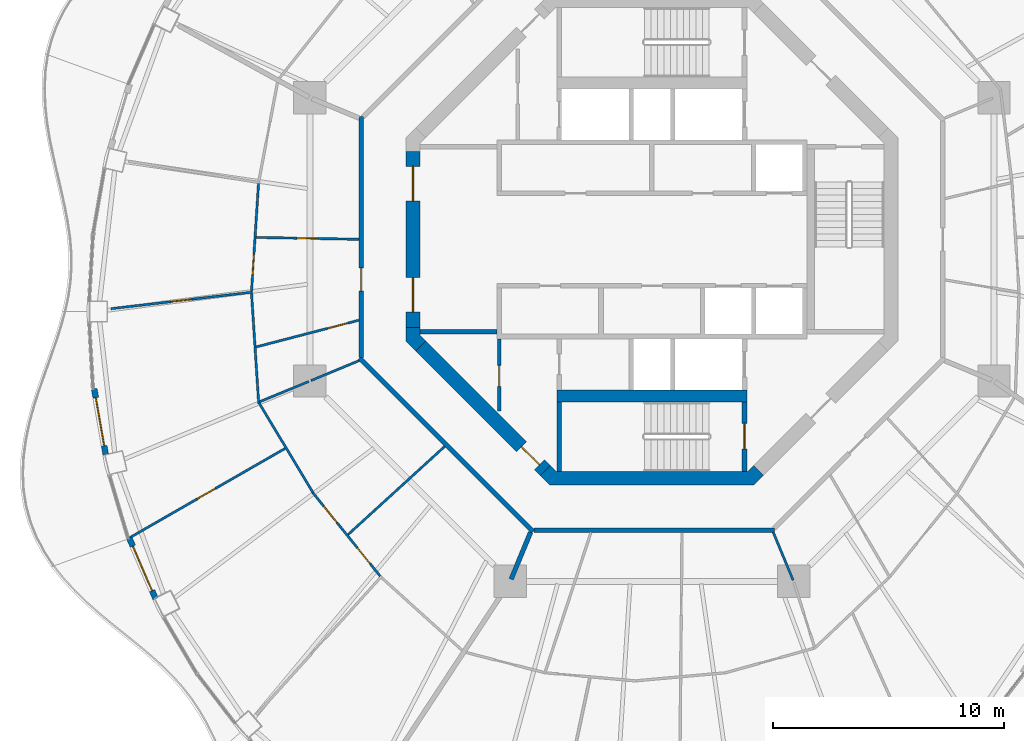
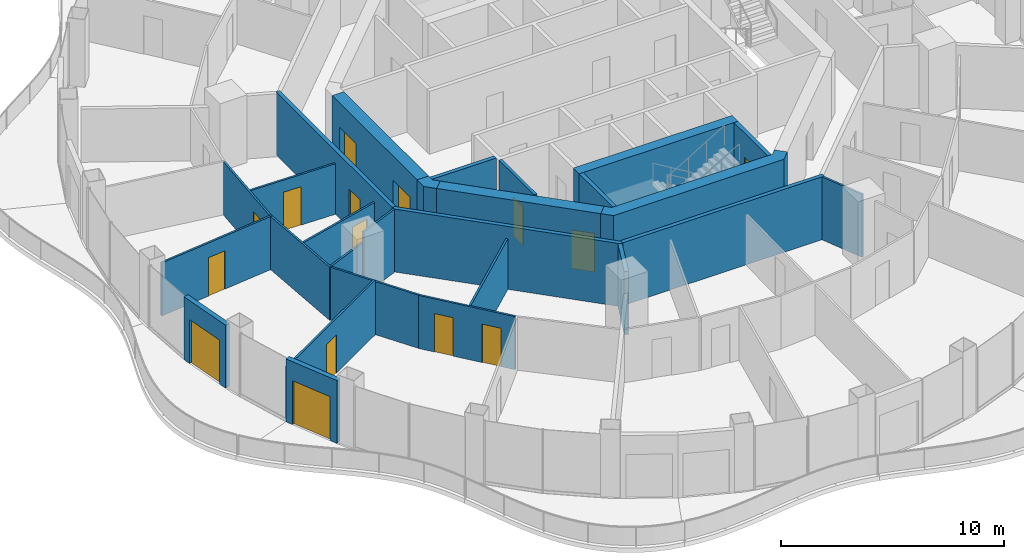
# One storey, part 10 of 17: 27 walls, 15 doors, 15 openings.
"""IFC4 building model written with IfcOpenShell, lengths in metres."""

from ifc_helpers import new_model, si_unit, direction, frame, frame_2d, origin, place, context, subcontext, project, spatial, polyline, rectangle, outline, extrude, material, layer, layer_set, type_object, element, fill, save


model = new_model("IFC4")

# Units and contexts
model_context = context("Model", 3, precision=1e-05, world=origin(), true_north=direction((0.0, 1.0)))
body_context = subcontext(model_context, "Body", "Model", "MODEL_VIEW")
ifc_project = project(units=[si_unit("LENGTHUNIT", "METRE"), si_unit("AREAUNIT", "SQUARE_METRE"), si_unit("VOLUMEUNIT", "CUBIC_METRE"), si_unit("PLANEANGLEUNIT", "RADIAN"), si_unit("MASSUNIT", "GRAM", prefix="KILO")], contexts=[model_context])

# Site, building, storey
site_placement = place(None, origin())
site = spatial("IfcSite", under=ifc_project, at=site_placement, CompositionType="ELEMENT")
building_placement = place(site_placement, origin())
building = spatial("IfcBuilding", under=site, at=building_placement, Name="Nagisa Residences", CompositionType="ELEMENT")
storey_placement = place(building_placement, frame((0.0, 0.0, 262.199951171875)))
storey = spatial("IfcBuildingStorey", under=building, at=storey_placement, Name="L66", CompositionType="ELEMENT", Elevation=262.199951171875)

# Wall
ifc_material_1 = material(Name="Gypsum board on steel studs", Category="steel")
ifc_layer_1 = layer(ifc_material_1, 0.199951171875)
ifc_layer_set_1 = layer_set([ifc_layer_1], Name="Apartment compartment wall EI60 200")
wall_type_1 = type_object("IfcWallType", Name="Apartment compartment wall EI60 200", PredefinedType="PARTITIONING", material=ifc_layer_set_1)
wall_1_placement = place(storey_placement, frame((-5.24267578125, -12.6572265625, 0.0), z_axis=(0.0, 0.0, 1.0), x_axis=(-0.382770106157, -0.923843626288, 0.0)))
element("IfcWall", 1, at=wall_1_placement, inside=storey, type_object=wall_type_1, Name="wall:L66:u04", PredefinedType="PARTITIONING", context=body_context, shape_type="SweptSolid", body=[
    extrude(rectangle(XDim=2.19921875, YDim=0.199951171875, at=frame_2d((1.099609375, 0.0))), origin(), (0.0, 0.0, 1.0), 3.43994140625),
])

# Wall, opening, door
ifc_material_2 = material(Name="Gypsum board on steel studs", Category="steel")
ifc_layer_2 = layer(ifc_material_2, 0.199951171875)
ifc_layer_set_2 = layer_set([ifc_layer_2], Name="Apartment entry wall EI60 200")
wall_type_2 = type_object("IfcWallType", Name="Apartment entry wall EI60 200", PredefinedType="PARTITIONING", material=ifc_layer_set_2)
wall_2_placement = place(storey_placement, frame((-12.564697265625, 5.304443359375, 0.0), z_axis=(0.0, 0.0, 1.0), x_axis=(0.0, -1.0, 0.0)))
wall_2 = element("IfcWall", 2, at=wall_2_placement, inside=storey, type_object=wall_type_2, Name="wall:L66:u12", PredefinedType="PARTITIONING", context=body_context, shape_type="SweptSolid", body=[
    extrude(rectangle(XDim=10.408935546875, YDim=0.199951171875, at=frame_2d((5.20458984375, 0.0))), origin(), (0.0, 0.0, 1.0), 3.43994140625),
])
opening_1_placement = place(wall_2_placement, frame((6.539306640625, 0.0, 0.0)))
opening_1 = element("IfcOpeningElement", 3, at=opening_1_placement, cuts=wall_2, Name="Opening L66-U18", PredefinedType="OPENING", context=body_context, shape_type="SweptSolid", body=[
    extrude(rectangle(XDim=1.0, YDim=2.10009765625, at=frame_2d((0.5, 1.050048828125))), frame((0.0, 0.10986328125, 0.0), z_axis=(0.0, -1.0, 0.0), x_axis=(1.0, 0.0, 0.0)), (0.0, 0.0, 1.0), 0.219970703125),
])
ifc_material_3 = material(Name="Timber fire door set", Category="wood")
door_type_1 = type_object("IfcDoorType", Name="Apartment entry door FD30S 1000x2100", OperationType="NOTDEFINED", PredefinedType="DOOR", material=ifc_material_3)
door_1_placement = place(opening_1_placement, frame((1.0, 0.0, 0.0), x_axis=(-1.0, 0.0, 0.0)))
door_1 = element("IfcDoor", 4, at=door_1_placement, inside=storey, type_object=door_type_1, Name="Entry door, Apartment 66C", OperationType="SINGLE_SWING_LEFT", OverallHeight=2.10009765625, OverallWidth=1.0, PredefinedType="DOOR", context=body_context, shape_type="SweptSolid", body=[
    extrude(rectangle(XDim=1.0, YDim=2.10009765625, at=frame_2d((0.5, 1.050048828125))), frame((0.0, 0.02490234375, 0.0), z_axis=(0.0, -1.0, 0.0), x_axis=(1.0, 0.0, 0.0)), (0.0, 0.0, 1.0), 0.050048828125),
])
fill(opening_1, door_1)

# Walls
wall_3_placement = place(storey_placement, frame((-12.635498046875, -5.1337890625, 0.0), z_axis=(0.0, 0.0, 1.0), x_axis=(0.707106781187, -0.707106781187, 0.0)))
element("IfcWall", 5, at=wall_3_placement, inside=storey, type_object=wall_type_2, Name="wall:L66:u13", PredefinedType="PARTITIONING", context=body_context, shape_type="SweptSolid", body=[
    extrude(rectangle(XDim=10.609130859375, YDim=0.199951171875, at=frame_2d((5.3046875, 0.0))), origin(), (0.0, 0.0, 1.0), 3.43994140625),
])
wall_4_placement = place(storey_placement, frame((-5.1044921875, -12.564697265625, 0.0), z_axis=(0.0, 0.0, 1.0), x_axis=(1.0, 0.0, 0.0)))
element("IfcWall", 6, at=wall_4_placement, inside=storey, type_object=wall_type_2, Name="wall:L66:u14", PredefinedType="PARTITIONING", context=body_context, shape_type="SweptSolid", body=[
    extrude(rectangle(XDim=10.408935546875, YDim=0.199951171875, at=frame_2d((5.20458984375, 0.0))), origin(), (0.0, 0.0, 1.0), 3.43994140625),
])

# Wall, opening, door
ifc_material_4 = material(Name="Gypsum board on steel studs", Category="steel")
ifc_layer_3 = layer(ifc_material_4, 0.10009765625)
ifc_layer_set_3 = layer_set([ifc_layer_3], Name="Apartment partition 100")
wall_type_3 = type_object("IfcWallType", Name="Apartment partition 100", PredefinedType="PARTITIONING", material=ifc_layer_set_3)
wall_5_placement = place(storey_placement, frame((-17.001708984375, 2.40869140625, 0.0), z_axis=(0.0, 0.0, 1.0), x_axis=(-0.064855550758, -0.997894662545, 0.0)))
wall_5 = element("IfcWall", 7, at=wall_5_placement, inside=storey, type_object=wall_type_3, Name="wall:L66:u41", PredefinedType="PARTITIONING", context=body_context, shape_type="SweptSolid", body=[
    extrude(rectangle(XDim=4.656494140625, YDim=0.10009765625, at=frame_2d((2.328125, 0.0))), origin(), (0.0, 0.0, 1.0), 2.905029296875),
])
opening_2_placement = place(wall_5_placement, frame((3.04248046875, 0.0, 0.0)))
opening_2 = element("IfcOpeningElement", 8, at=opening_2_placement, cuts=wall_5, Name="Opening L66-U22", PredefinedType="OPENING", context=body_context, shape_type="SweptSolid", body=[
    extrude(rectangle(XDim=0.89990234375, YDim=2.10009765625, at=frame_2d((0.449951171875, 1.050048828125))), frame((0.0, 0.06005859375, 0.0), z_axis=(0.0, -1.0, 0.0), x_axis=(1.0, 0.0, 0.0)), (0.0, 0.0, 1.0), 0.1201171875),
])
ifc_material_5 = material(Name="Timber door set", Category="wood")
door_type_2 = type_object("IfcDoorType", Name="Apartment door 900x2100", OperationType="NOTDEFINED", PredefinedType="DOOR", material=ifc_material_5)
door_2_placement = place(opening_2_placement, frame((0.89990234375, 0.0, 0.0), x_axis=(-1.0, 0.0, 0.0)))
door_2 = element("IfcDoor", 9, at=door_2_placement, inside=storey, type_object=door_type_2, Name="Door to kitchen, Apartment 66C", OperationType="SINGLE_SWING_LEFT", OverallHeight=2.10009765625, OverallWidth=0.89990234375, PredefinedType="DOOR", context=body_context, shape_type="SweptSolid", body=[
    extrude(rectangle(XDim=0.89990234375, YDim=2.10009765625, at=frame_2d((0.449951171875, 1.050048828125))), frame((0.0, 0.02490234375, 0.0), z_axis=(0.0, -1.0, 0.0), x_axis=(1.0, 0.0, 0.0)), (0.0, 0.0, 1.0), 0.050048828125),
])
fill(opening_2, door_2)

wall_6_placement = place(storey_placement, frame((-12.664794921875, 0.001953125, 0.0), z_axis=(0.0, 0.0, 1.0), x_axis=(-0.999827178165, 0.018590691287, 0.0)))
wall_6 = element("IfcWall", 10, at=wall_6_placement, inside=storey, type_object=wall_type_3, Name="wall:L66:u42", PredefinedType="PARTITIONING", context=body_context, shape_type="SweptSolid", body=[
    extrude(rectangle(XDim=4.438720703125, YDim=0.10009765625, at=frame_2d((2.21923828125, 0.0))), origin(), (0.0, 0.0, 1.0), 2.761962890625),
])
opening_3_placement = place(wall_6_placement, frame((1.769287109375, 0.0, 0.0)))
opening_3 = element("IfcOpeningElement", 11, at=opening_3_placement, cuts=wall_6, Name="Opening L66-U19", PredefinedType="OPENING", context=body_context, shape_type="SweptSolid", body=[
    extrude(rectangle(XDim=0.89990234375, YDim=2.10009765625, at=frame_2d((0.449951171875, 1.050048828125))), frame((0.0, 0.06005859375, 0.0), z_axis=(0.0, -1.0, 0.0), x_axis=(1.0, 0.0, 0.0)), (0.0, 0.0, 1.0), 0.1201171875),
])
door_3_placement = place(opening_3_placement, frame((0.89990234375, 0.0, 0.0), x_axis=(-1.0, 0.0, 0.0)))
door_3 = element("IfcDoor", 12, at=door_3_placement, inside=storey, type_object=door_type_2, Name="Door to laundry, Apartment 66C", OperationType="SINGLE_SWING_RIGHT", OverallHeight=2.10009765625, OverallWidth=0.89990234375, PredefinedType="DOOR", context=body_context, shape_type="SweptSolid", body=[
    extrude(rectangle(XDim=0.89990234375, YDim=2.10009765625, at=frame_2d((0.449951171875, 1.050048828125))), frame((0.0, 0.02490234375, 0.0), z_axis=(0.0, -1.0, 0.0), x_axis=(1.0, 0.0, 0.0)), (0.0, 0.0, 1.0), 0.050048828125),
])
fill(opening_3, door_3)

wall_7_placement = place(storey_placement, frame((-17.257080078125, -2.2822265625, 0.0), z_axis=(0.0, 0.0, 1.0), x_axis=(-0.993266024162, -0.11585596767, 0.0)))
wall_7 = element("IfcWall", 13, at=wall_7_placement, inside=storey, type_object=wall_type_3, Name="wall:L66:u43", PredefinedType="PARTITIONING", context=body_context, shape_type="SweptSolid", body=[
    extrude(rectangle(XDim=6.16796875, YDim=0.10009765625, at=frame_2d((3.083984375, 0.0))), origin(), (0.0, 0.0, 1.0), 2.905029296875),
])
opening_4_placement = place(wall_7_placement, frame((2.658935546875, 0.0, 0.0)))
opening_4 = element("IfcOpeningElement", 14, at=opening_4_placement, cuts=wall_7, Name="Opening L66-U23", PredefinedType="OPENING", context=body_context, shape_type="SweptSolid", body=[
    extrude(rectangle(XDim=0.89990234375, YDim=2.10009765625, at=frame_2d((0.449951171875, 1.050048828125))), frame((0.0, 0.06005859375, 0.0), z_axis=(0.0, -1.0, 0.0), x_axis=(1.0, 0.0, 0.0)), (0.0, 0.0, 1.0), 0.1201171875),
])
door_4_placement = place(opening_4_placement, origin())
door_4 = element("IfcDoor", 15, at=door_4_placement, inside=storey, type_object=door_type_2, Name="Door to dining room, Apartment 66C", OperationType="SINGLE_SWING_LEFT", OverallHeight=2.10009765625, OverallWidth=0.89990234375, PredefinedType="DOOR", context=body_context, shape_type="SweptSolid", body=[
    extrude(rectangle(XDim=0.89990234375, YDim=2.10009765625, at=frame_2d((0.449951171875, 1.050048828125))), frame((0.0, 0.02490234375, 0.0), z_axis=(0.0, -1.0, 0.0), x_axis=(1.0, 0.0, 0.0)), (0.0, 0.0, 1.0), 0.050048828125),
])
fill(opening_4, door_4)

# Wall
wall_8_placement = place(storey_placement, frame((-17.3037109375, -2.337890625, 0.0), z_axis=(0.0, 0.0, 1.0), x_axis=(0.065003615989, -0.997885028402, 0.0)))
element("IfcWall", 16, at=wall_8_placement, inside=storey, type_object=wall_type_3, Name="wall:L66:u44", PredefinedType="PARTITIONING", context=body_context, shape_type="SweptSolid", body=[
    extrude(rectangle(XDim=4.758544921875, YDim=0.10009765625, at=frame_2d((2.37939453125, 0.0))), origin(), (0.0, 0.0, 1.0), 2.905029296875),
])

# Wall, opening, door
wall_9_placement = place(storey_placement, frame((-12.66162109375, -3.494873046875, 0.0), z_axis=(0.0, 0.0, 1.0), x_axis=(-0.967834941053, -0.251586022817, 0.0)))
wall_9 = element("IfcWall", 17, at=wall_9_placement, inside=storey, type_object=wall_type_3, Name="wall:L66:u45", PredefinedType="PARTITIONING", context=body_context, shape_type="SweptSolid", body=[
    extrude(rectangle(XDim=4.590087890625, YDim=0.10009765625, at=frame_2d((2.294921875, 0.0))), origin(), (0.0, 0.0, 1.0), 2.761962890625),
])
opening_5_placement = place(wall_9_placement, frame((0.49951171875, 0.0, 0.0)))
opening_5 = element("IfcOpeningElement", 18, at=opening_5_placement, cuts=wall_9, Name="Opening L66-U20", PredefinedType="OPENING", context=body_context, shape_type="SweptSolid", body=[
    extrude(rectangle(XDim=0.89990234375, YDim=2.10009765625, at=frame_2d((0.449951171875, 1.050048828125))), frame((0.0, 0.06005859375, 0.0), z_axis=(0.0, -1.0, 0.0), x_axis=(1.0, 0.0, 0.0)), (0.0, 0.0, 1.0), 0.1201171875),
])
door_5_placement = place(opening_5_placement, origin())
door_5 = element("IfcDoor", 19, at=door_5_placement, inside=storey, type_object=door_type_2, Name="Door to family bathroom, Apartment 66C", OperationType="SINGLE_SWING_RIGHT", OverallHeight=2.10009765625, OverallWidth=0.89990234375, PredefinedType="DOOR", context=body_context, shape_type="SweptSolid", body=[
    extrude(rectangle(XDim=0.89990234375, YDim=2.10009765625, at=frame_2d((0.449951171875, 1.050048828125))), frame((0.0, 0.02490234375, 0.0), z_axis=(0.0, -1.0, 0.0), x_axis=(1.0, 0.0, 0.0)), (0.0, 0.0, 1.0), 0.050048828125),
])
fill(opening_5, door_5)

# Walls
wall_10_placement = place(storey_placement, frame((-12.6572265625, -5.24267578125, 0.0), z_axis=(0.0, 0.0, 1.0), x_axis=(-0.923864733477, -0.382719158442, 0.0)))
element("IfcWall", 20, at=wall_10_placement, inside=storey, type_object=wall_type_3, Name="wall:L66:u46", PredefinedType="PARTITIONING", context=body_context, shape_type="SweptSolid", body=[
    extrude(rectangle(XDim=2.25, YDim=0.10009765625, at=frame_2d((1.125, 0.0))), origin(), (0.0, 0.0, 1.0), 3.43994140625),
])
wall_11_placement = place(storey_placement, frame((-14.828369140625, -6.14208984375, 0.0), z_axis=(0.0, 0.0, 1.0), x_axis=(-0.924479819749, -0.381230983627, 0.0)))
element("IfcWall", 21, at=wall_11_placement, inside=storey, type_object=wall_type_3, Name="wall:L66:u47", PredefinedType="PARTITIONING", context=body_context, shape_type="SweptSolid", body=[
    extrude(rectangle(XDim=2.29638671875, YDim=0.10009765625, at=frame_2d((1.148193359375, 0.0))), origin(), (0.0, 0.0, 1.0), 2.905029296875),
])
wall_12_placement = place(storey_placement, frame((-16.971923828125, -7.07958984375, 0.0), z_axis=(0.0, 0.0, 1.0), x_axis=(0.514989049311, -0.857196756346, 0.0)))
element("IfcWall", 22, at=wall_12_placement, inside=storey, type_object=wall_type_3, Name="wall:L66:u48", PredefinedType="PARTITIONING", context=body_context, shape_type="SweptSolid", body=[
    extrude(rectangle(XDim=4.51171875, YDim=0.10009765625, at=frame_2d((2.255859375, 0.0))), origin(), (0.0, 0.0, 1.0), 2.905029296875),
])

# Wall, opening, door
wall_13_placement = place(storey_placement, frame((-15.853515625, -9.0380859375, 0.0), z_axis=(0.0, 0.0, 1.0), x_axis=(-0.867229230904, -0.497909089157, 0.0)))
wall_13 = element("IfcWall", 23, at=wall_13_placement, inside=storey, type_object=wall_type_3, Name="wall:L66:u49", PredefinedType="PARTITIONING", context=body_context, shape_type="SweptSolid", body=[
    extrude(rectangle(XDim=7.852783203125, YDim=0.10009765625, at=frame_2d((3.92626953125, 0.0))), origin(), (0.0, 0.0, 1.0), 2.983154296875),
])
opening_6_placement = place(wall_13_placement, frame((3.476318359375, 0.0, 0.0)))
opening_6 = element("IfcOpeningElement", 24, at=opening_6_placement, cuts=wall_13, Name="Opening L66-U24", PredefinedType="OPENING", context=body_context, shape_type="SweptSolid", body=[
    extrude(rectangle(XDim=0.89990234375, YDim=2.10009765625, at=frame_2d((0.449951171875, 1.050048828125))), frame((0.0, 0.06005859375, 0.0), z_axis=(0.0, -1.0, 0.0), x_axis=(1.0, 0.0, 0.0)), (0.0, 0.0, 1.0), 0.1201171875),
])
door_6_placement = place(opening_6_placement, origin())
door_6 = element("IfcDoor", 25, at=door_6_placement, inside=storey, type_object=door_type_2, Name="Door to living room, Apartment 66C", OperationType="SINGLE_SWING_RIGHT", OverallHeight=2.10009765625, OverallWidth=0.89990234375, PredefinedType="DOOR", context=body_context, shape_type="SweptSolid", body=[
    extrude(rectangle(XDim=0.89990234375, YDim=2.10009765625, at=frame_2d((0.449951171875, 1.050048828125))), frame((0.0, 0.02490234375, 0.0), z_axis=(0.0, -1.0, 0.0), x_axis=(1.0, 0.0, 0.0)), (0.0, 0.0, 1.0), 0.050048828125),
])
fill(opening_6, door_6)

# Wall, openings, doors
wall_14_placement = place(storey_placement, frame((-14.654052734375, -10.950927734375, 0.0), z_axis=(0.0, 0.0, 1.0), x_axis=(0.62815308134, -0.778089780426, 0.0)))
wall_14 = element("IfcWall", 26, at=wall_14_placement, inside=storey, type_object=wall_type_3, Name="wall:L66:u50", PredefinedType="PARTITIONING", context=body_context, shape_type="SweptSolid", body=[
    extrude(rectangle(XDim=4.632568359375, YDim=0.10009765625, at=frame_2d((2.31640625, 0.0))), origin(), (0.0, 0.0, 1.0), 2.905029296875),
])
opening_7_placement = place(wall_14_placement, frame((0.758056640625, 0.0, 0.0)))
opening_7 = element("IfcOpeningElement", 27, at=opening_7_placement, cuts=wall_14, Name="Opening L66-U26", PredefinedType="OPENING", context=body_context, shape_type="SweptSolid", body=[
    extrude(rectangle(XDim=0.89990234375, YDim=2.10009765625, at=frame_2d((0.449951171875, 1.050048828125))), frame((0.0, 0.06005859375, 0.0), z_axis=(0.0, -1.0, 0.0), x_axis=(1.0, 0.0, 0.0)), (0.0, 0.0, 1.0), 0.1201171875),
])
opening_8_placement = place(wall_14_placement, frame((3.04931640625, 0.0, 0.0)))
opening_8 = element("IfcOpeningElement", 28, at=opening_8_placement, cuts=wall_14, Name="Opening L66-U27", PredefinedType="OPENING", context=body_context, shape_type="SweptSolid", body=[
    extrude(rectangle(XDim=0.89990234375, YDim=2.10009765625, at=frame_2d((0.449951171875, 1.050048828125))), frame((0.0, 0.06005859375, 0.0), z_axis=(0.0, -1.0, 0.0), x_axis=(1.0, 0.0, 0.0)), (0.0, 0.0, 1.0), 0.1201171875),
])
door_7_placement = place(opening_7_placement, origin())
door_7 = element("IfcDoor", 29, at=door_7_placement, inside=storey, type_object=door_type_2, Name="Door to store, Apartment 66C", OperationType="SINGLE_SWING_RIGHT", OverallHeight=2.10009765625, OverallWidth=0.89990234375, PredefinedType="DOOR", context=body_context, shape_type="SweptSolid", body=[
    extrude(rectangle(XDim=0.89990234375, YDim=2.10009765625, at=frame_2d((0.449951171875, 1.050048828125))), frame((0.0, 0.02490234375, 0.0), z_axis=(0.0, -1.0, 0.0), x_axis=(1.0, 0.0, 0.0)), (0.0, 0.0, 1.0), 0.050048828125),
])
fill(opening_7, door_7)
door_8_placement = place(opening_8_placement, origin())
door_8 = element("IfcDoor", 30, at=door_8_placement, inside=storey, type_object=door_type_2, Name="Door to laundry, Apartment 66C", OperationType="SINGLE_SWING_LEFT", OverallHeight=2.10009765625, OverallWidth=0.89990234375, PredefinedType="DOOR", context=body_context, shape_type="SweptSolid", body=[
    extrude(rectangle(XDim=0.89990234375, YDim=2.10009765625, at=frame_2d((0.449951171875, 1.050048828125))), frame((0.0, 0.02490234375, 0.0), z_axis=(0.0, -1.0, 0.0), x_axis=(1.0, 0.0, 0.0)), (0.0, 0.0, 1.0), 0.050048828125),
])
fill(opening_8, door_8)

# Walls
wall_15_placement = place(storey_placement, frame((-8.95849609375, -8.9521484375, 0.0), z_axis=(0.0, 0.0, 1.0), x_axis=(-0.73876526954, -0.673962815385, 0.0)))
element("IfcWall", 31, at=wall_15_placement, inside=storey, type_object=wall_type_3, Name="wall:L66:u51", PredefinedType="PARTITIONING", context=body_context, shape_type="SweptSolid", body=[
    extrude(rectangle(XDim=5.6474609375, YDim=0.10009765625, at=frame_2d((2.82373046875, 0.0))), origin(), (0.0, 0.0, 1.0), 2.761962890625),
])
wall_16_placement = place(storey_placement, frame((5.24267578125, -12.6572265625, 0.0), z_axis=(0.0, 0.0, 1.0), x_axis=(0.382719158442, -0.923864733477, 0.0)))
element("IfcWall", 32, at=wall_16_placement, inside=storey, type_object=wall_type_3, Name="wall:L66:u61", PredefinedType="PARTITIONING", context=body_context, shape_type="SweptSolid", body=[
    extrude(rectangle(XDim=2.25, YDim=0.10009765625, at=frame_2d((1.125, 0.0))), origin(), (0.0, 0.0, 1.0), 3.43994140625),
])

# Wall, opening, door
ifc_material_6 = material(Name="Precast concrete C40/50", Category="concrete")
ifc_layer_4 = layer(ifc_material_6, 0.25)
ifc_layer_set_4 = layer_set([ifc_layer_4], Name="BALCONY DOOR WALL 250")
wall_type_4 = type_object("IfcWallType", Name="BALCONY DOOR WALL 250", PredefinedType="SOLIDWALL", material=ifc_layer_set_4)
wall_17_placement = place(storey_placement, frame((-23.603515625, -9.31494140625, 0.0), z_axis=(0.0, 0.0, 1.0), x_axis=(-0.172182411767, 0.985065082661, 0.0)))
wall_17 = element("IfcWall", 33, at=wall_17_placement, inside=storey, type_object=wall_type_4, Name="wall:L66:bay25", PredefinedType="SOLIDWALL", context=body_context, shape_type="SweptSolid", body=[
    extrude(rectangle(XDim=2.902587890625, YDim=0.25, at=frame_2d((1.451171875, 0.0))), origin(), (0.0, 0.0, 1.0), 3.43994140625),
])
opening_9_placement = place(wall_17_placement, frame((0.401123046875, 0.0, 0.0)))
opening_9 = element("IfcOpeningElement", 34, at=opening_9_placement, cuts=wall_17, Name="Opening BD-L66-09", PredefinedType="OPENING", context=body_context, shape_type="SweptSolid", body=[
    extrude(rectangle(XDim=2.10009765625, YDim=2.39990234375, at=frame_2d((1.050048828125, 1.199951171875))), frame((0.0, 0.135009765625, 0.0), z_axis=(0.0, -1.0, 0.0), x_axis=(1.0, 0.0, 0.0)), (0.0, 0.0, 1.0), 0.27001953125),
])
ifc_material_7 = material(Name="Aluminium and clear glass", Category="aluminium")
door_type_3 = type_object("IfcDoorType", Name="BALCONY SLIDING DOOR 2100x2400", OperationType="SLIDING_TO_LEFT", PredefinedType="DOOR", material=ifc_material_7)
door_9_placement = place(opening_9_placement, origin())
door_9 = element("IfcDoor", 35, at=door_9_placement, inside=storey, type_object=door_type_3, Name="door:L66:bay25", OperationType="SLIDING_TO_LEFT", OverallHeight=2.39990234375, OverallWidth=2.10009765625, PredefinedType="DOOR", context=body_context, shape_type="SweptSolid", body=[
    extrude(rectangle(XDim=2.10009765625, YDim=2.39990234375, at=frame_2d((1.050048828125, 1.199951171875))), frame((0.0, 0.02490234375, 0.0), z_axis=(0.0, -1.0, 0.0), x_axis=(1.0, 0.0, 0.0)), (0.0, 0.0, 1.0), 0.050048828125),
])
fill(opening_9, door_9)

wall_18_placement = place(storey_placement, frame((-21.453857421875, -15.525146484375, 0.0), z_axis=(0.0, 0.0, 1.0), x_axis=(-0.397597791596, 0.9175598052, 0.0)))
wall_18 = element("IfcWall", 36, at=wall_18_placement, inside=storey, type_object=wall_type_4, Name="wall:L66:bay27", PredefinedType="SOLIDWALL", context=body_context, shape_type="SweptSolid", body=[
    extrude(rectangle(XDim=2.841064453125, YDim=0.25, at=frame_2d((1.42041015625, 0.0))), origin(), (0.0, 0.0, 1.0), 3.43994140625),
])
opening_10_placement = place(wall_18_placement, frame((0.37060546875, 0.0, 0.0)))
opening_10 = element("IfcOpeningElement", 37, at=opening_10_placement, cuts=wall_18, Name="Opening BD-L66-10", PredefinedType="OPENING", context=body_context, shape_type="SweptSolid", body=[
    extrude(rectangle(XDim=2.10009765625, YDim=2.39990234375, at=frame_2d((1.050048828125, 1.199951171875))), frame((0.0, 0.135009765625, 0.0), z_axis=(0.0, -1.0, 0.0), x_axis=(1.0, 0.0, 0.0)), (0.0, 0.0, 1.0), 0.27001953125),
])
door_10_placement = place(opening_10_placement, origin())
door_10 = element("IfcDoor", 38, at=door_10_placement, inside=storey, type_object=door_type_3, Name="door:L66:bay27", OperationType="SLIDING_TO_LEFT", OverallHeight=2.39990234375, OverallWidth=2.10009765625, PredefinedType="DOOR", context=body_context, shape_type="SweptSolid", body=[
    extrude(rectangle(XDim=2.10009765625, YDim=2.39990234375, at=frame_2d((1.050048828125, 1.199951171875))), frame((0.0, 0.02490234375, 0.0), z_axis=(0.0, -1.0, 0.0), x_axis=(1.0, 0.0, 0.0)), (0.0, 0.0, 1.0), 0.050048828125),
])
fill(opening_10, door_10)

ifc_material_8 = material(Name="Gypsum board on steel studs", Category="steel")
ifc_layer_5 = layer(ifc_material_8, 0.14990234375)
ifc_layer_set_5 = layer_set([ifc_layer_5], Name="Core partition 150")
wall_type_5 = type_object("IfcWallType", Name="Core partition 150", PredefinedType="PARTITIONING", material=ifc_layer_set_5)
wall_19_placement = place(storey_placement, frame((-6.60009765625, -7.427001953125, 0.0), z_axis=(0.0, 0.0, 1.0), x_axis=(0.0, 1.0, 0.0)))
wall_19 = element("IfcWall", 39, at=wall_19_placement, inside=storey, type_object=wall_type_5, Name="wall:L66:SWp", PredefinedType="PARTITIONING", context=body_context, shape_type="SweptSolid", body=[
    extrude(rectangle(XDim=3.126953125, YDim=0.14990234375, at=frame_2d((1.5634765625, 0.0))), origin(), (0.0, 0.0, 1.0), 3.43994140625),
])
opening_11_placement = place(wall_19_placement, frame((1.075927734375, 0.0, 0.0)))
opening_11 = element("IfcOpeningElement", 40, at=opening_11_placement, cuts=wall_19, Name="Opening L66-C11", PredefinedType="OPENING", context=body_context, shape_type="SweptSolid", body=[
    extrude(rectangle(XDim=0.89990234375, YDim=2.10009765625, at=frame_2d((0.449951171875, 1.050048828125))), frame((0.0, 0.0849609375, 0.0), z_axis=(0.0, -1.0, 0.0), x_axis=(1.0, 0.0, 0.0)), (0.0, 0.0, 1.0), 0.169921875),
])
ifc_material_9 = material(Name="Steel fire door", Category="steel")
door_type_4 = type_object("IfcDoorType", Name="Fire door EI30 900x2100 single swing", OperationType="NOTDEFINED", PredefinedType="DOOR", material=ifc_material_9)
door_11_placement = place(opening_11_placement, origin())
door_11 = element("IfcDoor", 41, at=door_11_placement, inside=storey, type_object=door_type_4, Name="Cleaner store door L66", OperationType="SINGLE_SWING_LEFT", OverallHeight=2.10009765625, OverallWidth=0.89990234375, PredefinedType="DOOR", context=body_context, shape_type="SweptSolid", body=[
    extrude(rectangle(XDim=0.89990234375, YDim=2.10009765625, at=frame_2d((0.449951171875, 1.050048828125))), frame((0.0, 0.02490234375, 0.0), z_axis=(0.0, -1.0, 0.0), x_axis=(1.0, 0.0, 0.0)), (0.0, 0.0, 1.0), 0.050048828125),
])
fill(opening_11, door_11)

# Wall
ifc_material_10 = material(Name="Gypsum board on steel studs", Category="steel")
ifc_layer_6 = layer(ifc_material_10, 0.199951171875)
ifc_layer_set_6 = layer_set([ifc_layer_6], Name="Core partition 200")
wall_type_6 = type_object("IfcWallType", Name="Core partition 200", PredefinedType="PARTITIONING", material=ifc_layer_set_6)
wall_20_placement = place(storey_placement, frame((-10.024658203125, -4.0, 0.0), z_axis=(0.0, 0.0, 1.0), x_axis=(1.0, 0.0, 0.0)))
element("IfcWall", 42, at=wall_20_placement, inside=storey, type_object=wall_type_6, Name="wall:L66:PSW", PredefinedType="PARTITIONING", context=body_context, shape_type="SweptSolid", body=[
    extrude(rectangle(XDim=3.32470703125, YDim=0.199951171875, at=frame_2d((1.662353515625, 0.0))), origin(), (0.0, 0.0, 1.0), 3.43994140625),
])

# Wall, openings, doors
ifc_material_11 = material(Name="Concrete C60", Category="concrete")
ifc_layer_7 = layer(ifc_material_11, 0.60009765625)
ifc_layer_set_7 = layer_set([ifc_layer_7], Name="Core shear wall 600")
wall_type_7 = type_object("IfcWallType", Name="Core shear wall 600", PredefinedType="SHEAR", material=ifc_layer_set_7)
wall_21_placement = place(storey_placement, frame((-10.32470703125, 3.80078125, 0.0), z_axis=(0.0, 0.0, 1.0), x_axis=(0.0, -1.0, 0.0)))
wall_21 = element("IfcWall", 43, at=wall_21_placement, inside=storey, type_object=wall_type_7, Name="wall:L66:core:flat4", PredefinedType="SHEAR", context=body_context, shape_type="SweptSolid", body=[
    extrude(rectangle(XDim=7.6015625, YDim=0.60009765625, at=frame_2d((3.80078125, 0.0))), origin(), (0.0, 0.0, 1.0), 3.43994140625),
])
opening_12_placement = place(wall_21_placement, frame((0.65087890625, 0.0, 0.0)))
opening_12 = element("IfcOpeningElement", 44, at=opening_12_placement, cuts=wall_21, Name="Opening L66-C19", PredefinedType="OPENING", context=body_context, shape_type="SweptSolid", body=[
    extrude(rectangle(XDim=1.5, YDim=2.10009765625, at=frame_2d((0.75, 1.050048828125))), frame((0.0, 0.31005859375, 0.0), z_axis=(0.0, -1.0, 0.0), x_axis=(1.0, 0.0, 0.0)), (0.0, 0.0, 1.0), 0.6201171875),
])
opening_13_placement = place(wall_21_placement, frame((5.450927734375, 0.0, 0.0)))
opening_13 = element("IfcOpeningElement", 45, at=opening_13_placement, cuts=wall_21, Name="Opening L66-C20", PredefinedType="OPENING", context=body_context, shape_type="SweptSolid", body=[
    extrude(rectangle(XDim=1.5, YDim=2.10009765625, at=frame_2d((0.75, 1.050048828125))), frame((0.0, 0.31005859375, 0.0), z_axis=(0.0, -1.0, 0.0), x_axis=(1.0, 0.0, 0.0)), (0.0, 0.0, 1.0), 0.6201171875),
])
ifc_material_12 = material(Name="Steel fire door", Category="steel")
door_type_5 = type_object("IfcDoorType", Name="Fire door EI60 1500x2100 double door single swing", OperationType="DOUBLE_DOOR_SINGLE_SWING", PredefinedType="DOOR", material=ifc_material_12)
door_12_placement = place(opening_12_placement, origin())
door_12 = element("IfcDoor", 46, at=door_12_placement, inside=storey, type_object=door_type_5, Name="Lift lobby door L66 1", OperationType="DOUBLE_DOOR_SINGLE_SWING", OverallHeight=2.10009765625, OverallWidth=1.5, PredefinedType="DOOR", context=body_context, shape_type="SweptSolid", body=[
    extrude(rectangle(XDim=1.5, YDim=2.10009765625, at=frame_2d((0.75, 1.050048828125))), frame((0.0, 0.02490234375, 0.0), z_axis=(0.0, -1.0, 0.0), x_axis=(1.0, 0.0, 0.0)), (0.0, 0.0, 1.0), 0.050048828125),
])
fill(opening_12, door_12)
door_13_placement = place(opening_13_placement, origin())
door_13 = element("IfcDoor", 47, at=door_13_placement, inside=storey, type_object=door_type_5, Name="Lift lobby door L66 2", OperationType="DOUBLE_DOOR_SINGLE_SWING", OverallHeight=2.10009765625, OverallWidth=1.5, PredefinedType="DOOR", context=body_context, shape_type="SweptSolid", body=[
    extrude(rectangle(XDim=1.5, YDim=2.10009765625, at=frame_2d((0.75, 1.050048828125))), frame((0.0, 0.02490234375, 0.0), z_axis=(0.0, -1.0, 0.0), x_axis=(1.0, 0.0, 0.0)), (0.0, 0.0, 1.0), 0.050048828125),
])
fill(opening_13, door_13)

# Wall, opening, door
wall_22_placement = place(storey_placement, frame((-9.98828125, -4.613037109375, 0.0), z_axis=(0.0, 0.0, 1.0), x_axis=(0.707106781187, -0.707106781187, 0.0)))
wall_22 = element("IfcWall", 48, at=wall_22_placement, inside=storey, type_object=wall_type_7, Name="wall:L66:core:flat5", PredefinedType="SHEAR", context=body_context, shape_type="SweptSolid", body=[
    extrude(rectangle(XDim=7.601806640625, YDim=0.60009765625, at=frame_2d((3.80078125, 0.0))), origin(), (0.0, 0.0, 1.0), 3.43994140625),
])
opening_14_placement = place(wall_22_placement, frame((6.15087890625, 0.0, 0.0)))
opening_14 = element("IfcOpeningElement", 49, at=opening_14_placement, cuts=wall_22, Name="Opening L66-C22", PredefinedType="OPENING", context=body_context, shape_type="SweptSolid", body=[
    extrude(rectangle(XDim=1.10009765625, YDim=2.10009765625, at=frame_2d((0.550048828125, 1.050048828125))), frame((0.0, 0.31005859375, 0.0), z_axis=(0.0, -1.0, 0.0), x_axis=(1.0, 0.0, 0.0)), (0.0, 0.0, 1.0), 0.6201171875),
])
ifc_material_13 = material(Name="Steel fire door", Category="steel")
door_type_6 = type_object("IfcDoorType", Name="Fire door EI60 1100x2100 single swing", OperationType="NOTDEFINED", PredefinedType="DOOR", material=ifc_material_13)
door_14_placement = place(opening_14_placement, origin())
door_14 = element("IfcDoor", 50, at=door_14_placement, inside=storey, type_object=door_type_6, Name="Housekeeping lobby door L66", OperationType="SINGLE_SWING_RIGHT", OverallHeight=2.10009765625, OverallWidth=1.10009765625, PredefinedType="DOOR", context=body_context, shape_type="SweptSolid", body=[
    extrude(rectangle(XDim=1.10009765625, YDim=2.10009765625, at=frame_2d((0.550048828125, 1.050048828125))), frame((0.0, 0.02490234375, 0.0), z_axis=(0.0, -1.0, 0.0), x_axis=(1.0, 0.0, 0.0)), (0.0, 0.0, 1.0), 0.050048828125),
])
fill(opening_14, door_14)

# Walls
wall_23_placement = place(storey_placement, origin())
element("IfcWall", 51, at=wall_23_placement, inside=storey, type_object=wall_type_7, Name="wall:L66:core:pier4", PredefinedType="SHEAR", context=body_context, shape_type="SweptSolid", body=[
    extrude(outline(polyline([(-10.62451171875, -3.80078125), (-10.024658203125, -3.80078125), (-10.024658203125, -4.15234375), (-9.776123046875, -4.40087890625), (-10.200439453125, -4.8251953125), (-10.62451171875, -4.40087890625), (-10.62451171875, -3.80078125)])), origin(), (0.0, 0.0, 1.0), 3.43994140625),
])
wall_24_placement = place(storey_placement, origin())
element("IfcWall", 52, at=wall_24_placement, inside=storey, type_object=wall_type_7, Name="wall:L66:core:flat6", PredefinedType="SHEAR", context=body_context, shape_type="SweptSolid", body=[
    extrude(outline(polyline([(-4.15234375, -10.024658203125), (4.15234375, -10.024658203125), (4.40087890625, -9.776123046875), (4.8251953125, -10.200439453125), (4.40087890625, -10.62451171875), (-4.40087890625, -10.62451171875), (-4.8251953125, -10.200439453125), (-4.40087890625, -9.776123046875), (-4.15234375, -10.024658203125)])), origin(), (0.0, 0.0, 1.0), 3.43994140625),
])

# Wall, opening, door
ifc_material_14 = material(Name="Concrete C60", Category="concrete")
ifc_layer_8 = layer(ifc_material_14, 0.199951171875)
ifc_layer_set_8 = layer_set([ifc_layer_8], Name="Stair enclosure wall 200")
wall_type_8 = type_object("IfcWallType", Name="Stair enclosure wall 200", PredefinedType="SOLIDWALL", material=ifc_layer_set_8)
wall_25_placement = place(storey_placement, frame((4.0, -10.024658203125, 0.0), z_axis=(0.0, 0.0, 1.0), x_axis=(0.0, 1.0, 0.0)))
wall_25 = element("IfcWall", 53, at=wall_25_placement, inside=storey, type_object=wall_type_8, Name="wall:L66:SS_e", PredefinedType="SOLIDWALL", context=body_context, shape_type="SweptSolid", body=[
    extrude(rectangle(XDim=3.0, YDim=0.199951171875, at=frame_2d((1.5, 0.0))), origin(), (0.0, 0.0, 1.0), 3.43994140625),
])
opening_15_placement = place(wall_25_placement, frame((0.974609375, 0.0, 0.0)))
opening_15 = element("IfcOpeningElement", 54, at=opening_15_placement, cuts=wall_25, Name="Opening L66-C09", PredefinedType="OPENING", context=body_context, shape_type="SweptSolid", body=[
    extrude(rectangle(XDim=1.10009765625, YDim=2.10009765625, at=frame_2d((0.550048828125, 1.050048828125))), frame((0.0, 0.10986328125, 0.0), z_axis=(0.0, -1.0, 0.0), x_axis=(1.0, 0.0, 0.0)), (0.0, 0.0, 1.0), 0.219970703125),
])
ifc_material_15 = material(Name="Steel fire door", Category="steel")
door_type_7 = type_object("IfcDoorType", Name="Fire door EI90 1100x2100 single swing", OperationType="NOTDEFINED", PredefinedType="DOOR", material=ifc_material_15)
door_15_placement = place(opening_15_placement, origin())
door_15 = element("IfcDoor", 55, at=door_15_placement, inside=storey, type_object=door_type_7, Name="Stair door ST-S L66", OperationType="SINGLE_SWING_LEFT", OverallHeight=2.10009765625, OverallWidth=1.10009765625, PredefinedType="DOOR", context=body_context, shape_type="SweptSolid", body=[
    extrude(rectangle(XDim=1.10009765625, YDim=2.10009765625, at=frame_2d((0.550048828125, 1.050048828125))), frame((0.0, 0.02490234375, 0.0), z_axis=(0.0, -1.0, 0.0), x_axis=(1.0, 0.0, 0.0)), (0.0, 0.0, 1.0), 0.050048828125),
])
fill(opening_15, door_15)

# Walls
wall_26_placement = place(storey_placement, origin())
element("IfcWall", 56, at=wall_26_placement, inside=storey, type_object=wall_type_8, Name="wall:L66:SS_w", PredefinedType="SOLIDWALL", context=body_context, shape_type="SweptSolid", body=[
    extrude(outline(polyline([(-3.89990234375, -10.024658203125), (-4.10009765625, -10.024658203125), (-4.10009765625, -7.024658203125), (-3.89990234375, -7.024658203125), (-3.89990234375, -10.024658203125)])), origin(), (0.0, 0.0, 1.0), 3.43994140625),
])
wall_27_placement = place(storey_placement, origin())
element("IfcWall", 57, at=wall_27_placement, inside=storey, type_object=wall_type_8, Name="wall:L66:SS_n", PredefinedType="SOLIDWALL", context=body_context, shape_type="SweptSolid", body=[
    extrude(outline(polyline([(4.10009765625, -7.024658203125), (-4.10009765625, -7.024658203125), (-4.10009765625, -6.5), (4.10009765625, -6.5), (4.10009765625, -7.024658203125)])), origin(), (0.0, 0.0, 1.0), 3.43994140625),
])

save(model, "model.ifc")
